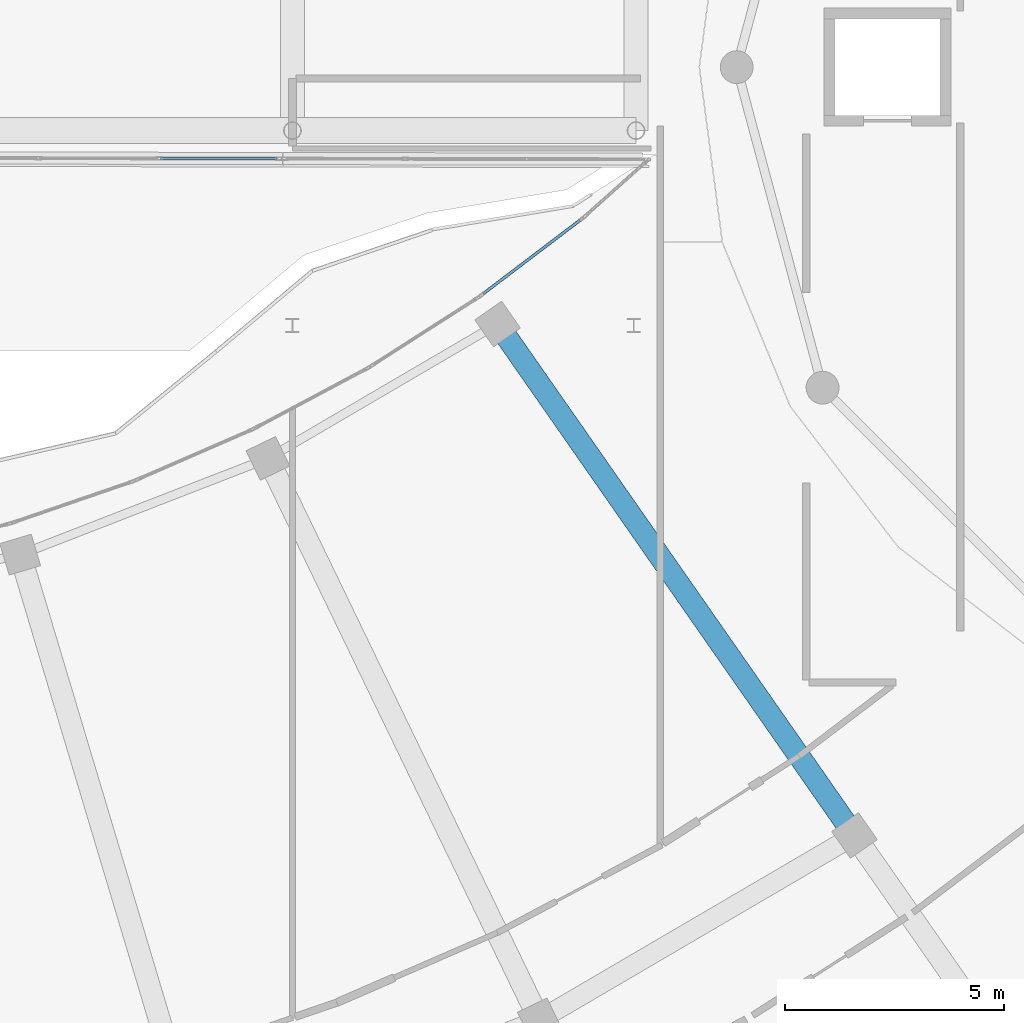
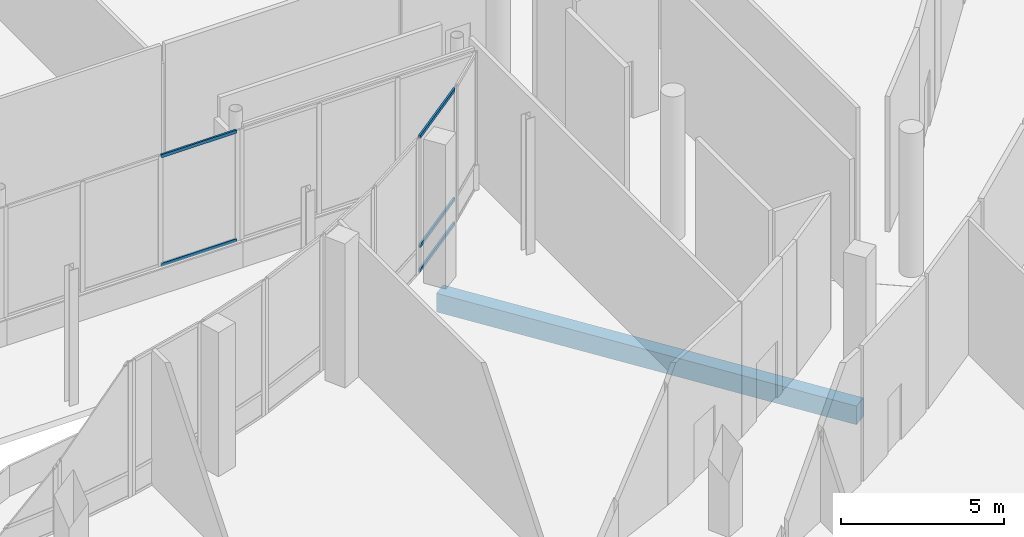
# One storey, part 53 of 158: 5 members, 1 beam, 2 elements without a shape of their own.
"""IFC4 building model written with IfcOpenShell, lengths in metres."""

import ifcopenshell
import ifcopenshell.guid

model = None  # the IFC model being written
_history = None  # IfcOwnerHistory: only IFC2X3 demands one
_inside = {}  # id of a spatial element -> (the spatial element, [elements in it])
_under = {}  # id of a project, library or spatial element -> (it, [spatial elements below it])
_declared = {}  # id of a project -> (the project, [libraries it declares])
_typed = {}  # id of a type object -> (the type object, [elements of that type])
_made_of = {}  # id of a material, layer set ... -> (it, [elements and type objects made of it])


def new_model(schema):
    """Start an empty IFC model of exactly this schema.

    Asked for "IFC4X3", IfcOpenShell would pick the latest addendum, in which some entities
    have other attributes; the version numbers below select the first issue.
    IFC2X3 requires an IfcOwnerHistory on every rooted entity: one is made here for all.
    """
    global model, _history
    if schema == "IFC4X3":
        model = ifcopenshell.file(schema_version=(4, 3, 0, 0))
    else:
        model = ifcopenshell.file(schema=schema)
    _inside.clear()
    _under.clear()
    _declared.clear()
    _typed.clear()
    _made_of.clear()
    _history = None
    if model.schema == "IFC2X3":
        org = make("IfcOrganization", Name="unknown")
        user = make(
            "IfcPersonAndOrganization",
            ThePerson=make("IfcPerson", FamilyName="unknown"),
            TheOrganization=org,
        )
        app = make(
            "IfcApplication",
            ApplicationDeveloper=org,
            Version="unknown",
            ApplicationFullName="unknown",
            ApplicationIdentifier="unknown",
        )
        _history = make(
            "IfcOwnerHistory",
            OwningUser=user,
            OwningApplication=app,
            ChangeAction="ADDED",
            CreationDate=0,
        )
    return model


def make(cls, **values):
    """One entity of the class cls with the attributes given. An attribute that is None is left unset."""
    return model.create_entity(
        cls, **{name: value for name, value in values.items() if value is not None}
    )


def rooted(cls, **values):
    """An entity with a GlobalId (a new one), such as an element, a storey or a relation."""
    return make(cls, GlobalId=ifcopenshell.guid.new(), OwnerHistory=_history, **values)


def si_unit(unit_type, name, prefix=None):
    """IfcSIUnit, for example si_unit("LENGTHUNIT", "METRE", prefix="MILLI")."""
    return make("IfcSIUnit", UnitType=unit_type, Prefix=prefix, Name=name)


def assignment(units):
    """IfcUnitAssignment: the units of a project."""
    return None if units is None else make("IfcUnitAssignment", Units=units)


def point(xyz):
    """IfcCartesianPoint."""
    return None if xyz is None else make("IfcCartesianPoint", Coordinates=xyz)


def direction(xyz):
    """IfcDirection."""
    return None if xyz is None else make("IfcDirection", DirectionRatios=xyz)


def frame(location, z_axis=None, x_axis=None):
    """IfcAxis2Placement3D, a coordinate frame: its origin and axes. An axis left out is left unset."""
    return make(
        "IfcAxis2Placement3D",
        Location=point(location),
        Axis=direction(z_axis),
        RefDirection=direction(x_axis),
    )


def frame_2d(location, x_axis=None):
    """IfcAxis2Placement2D, a coordinate frame in the plane: its origin and x axis."""
    return make(
        "IfcAxis2Placement2D", Location=point(location), RefDirection=direction(x_axis)
    )


def origin():
    """The frame at (0, 0, 0) with its axes left unset."""
    return frame((0.0, 0.0, 0.0))


def origin_2d():
    """The frame at (0, 0) in the plane with its x axis left unset."""
    return frame_2d((0.0, 0.0))


def place(relative_to, where):
    """IfcLocalPlacement: puts the frame where relative to a parent placement (None: the world)."""
    return make(
        "IfcLocalPlacement", PlacementRelTo=relative_to, RelativePlacement=where
    )


def context(
    kind, dimensions, precision=None, world=None, true_north=None, identifier=None
):
    """IfcGeometricRepresentationContext, for example the 3D "Model" context."""
    return make(
        "IfcGeometricRepresentationContext",
        ContextIdentifier=identifier,
        ContextType=kind,
        CoordinateSpaceDimension=dimensions,
        Precision=precision,
        WorldCoordinateSystem=world,
        TrueNorth=true_north,
    )


def subcontext(parent, identifier, kind, view, scale=None):
    """IfcGeometricRepresentationSubContext, for example "Body" below "Model"."""
    return make(
        "IfcGeometricRepresentationSubContext",
        ContextIdentifier=identifier,
        ContextType=kind,
        ParentContext=parent,
        TargetScale=scale,
        TargetView=view,
    )


def project(units=None, contexts=None):
    """IfcProject with its units and contexts."""
    return rooted(
        "IfcProject",
        Name="project",
        RepresentationContexts=contexts,
        UnitsInContext=assignment(units),
    )


def spatial(cls, under=None, at=None, **own):
    """A site, building, storey or space (cls), placed at a placement, below another one or the project."""
    s = rooted(cls, ObjectPlacement=at, **own)
    if under is not None:
        _under.setdefault(under.id(), (under, []))[1].append(s)
    return s


def profile(cls, at=None, kind="AREA", **sizes):
    """A parametric profile (cls). Its sizes go by their IFC names, for example OverallWidth=200.0."""
    return make(cls, ProfileType=kind, Position=at, **sizes)


def rectangle(**sizes):
    """IfcRectangleProfileDef."""
    return profile("IfcRectangleProfileDef", **sizes)


def hollow_rectangle(**sizes):
    """IfcRectangleHollowProfileDef."""
    return profile("IfcRectangleHollowProfileDef", **sizes)


def extrude(swept, where, along, depth):
    """IfcExtrudedAreaSolid: the profile swept, set in the frame where, extruded along a direction by depth."""
    return make(
        "IfcExtrudedAreaSolid",
        SweptArea=swept,
        Position=where,
        ExtrudedDirection=direction(along),
        Depth=depth,
    )


def shape(context_of_items, identifier, shape_type, items):
    """IfcShapeRepresentation: the items that make up one representation, for example the "Body"."""
    return make(
        "IfcShapeRepresentation",
        ContextOfItems=context_of_items,
        RepresentationIdentifier=identifier,
        RepresentationType=shape_type,
        Items=items,
    )


def material(Name=None, Category=None):
    """IfcMaterial."""
    return make("IfcMaterial", Name=Name, Category=Category)


def material_profile(
    of_material, cross_section, Name=None, Category=None, Priority=None
):
    """IfcMaterialProfile: a cross section and its material."""
    return make(
        "IfcMaterialProfile",
        Name=Name,
        Material=of_material,
        Profile=cross_section,
        Priority=Priority,
        Category=Category,
    )


def profile_set(profiles, Name=None, composite=None):
    """IfcMaterialProfileSet."""
    return make(
        "IfcMaterialProfileSet",
        Name=Name,
        MaterialProfiles=profiles,
        CompositeProfile=composite,
    )


def made_of(thing, what):
    """Note that an element or type object is made of a material, layer set ...; save() writes the relation."""
    if what is not None:
        _made_of.setdefault(what.id(), (what, []))[1].append(thing)
    return thing


def type_object(cls, material=None, **own):
    """A type object (cls), such as IfcWallType, which elements share."""
    return made_of(rooted(cls, **own), material)


def element(
    cls,
    number,
    at=None,
    inside=None,
    cuts=None,
    type_object=None,
    material=None,
    context=None,
    identifier="Body",
    shape_type=None,
    held_by="IfcProductDefinitionShape",
    body=None,
    shapes=None,
    **own,
):
    """One element of the class cls, such as IfcWall. Its Tag is "e" and its number.

    at: its placement. inside: the storey or other place that contains it. cuts: it is an
    opening in that element (IfcRelVoidsElement). A single representation is given by context,
    identifier, shape_type and body (its items); several are given by shapes. held_by: the class
    of the entity that holds the representations. save() writes the other relations.
    """
    e = rooted(cls, Tag="e%d" % number, ObjectPlacement=at, **own)
    if body is not None:
        shapes = [shape(context, identifier, shape_type, body)]
    if shapes is not None:
        e.Representation = make(held_by, Representations=shapes)
    if inside is not None:
        _inside.setdefault(inside.id(), (inside, []))[1].append(e)
    if cuts is not None:
        rooted(
            "IfcRelVoidsElement", RelatingBuildingElement=cuts, RelatedOpeningElement=e
        )
    if type_object is not None:
        _typed.setdefault(type_object.id(), (type_object, []))[1].append(e)
    return made_of(e, material)


def aggregate(whole, parts):
    """IfcRelAggregates: a whole, such as a stair, and the parts it consists of."""
    return rooted("IfcRelAggregates", RelatingObject=whole, RelatedObjects=parts)


def save(model, path):
    """Write the relations noted so far, then the file.

    IfcRelAggregates (storeys below a building ...), IfcRelContainedInSpatialStructure (elements
    in a storey), IfcRelDefinesByType, IfcRelAssociatesMaterial and IfcRelDeclares: one each for
    every whole, place, type object, material and project.
    """
    for whole, parts in _under.values():
        aggregate(whole, parts)
    for where, things in _inside.values():
        rooted(
            "IfcRelContainedInSpatialStructure",
            RelatedElements=things,
            RelatingStructure=where,
        )
    for kind, things in _typed.values():
        rooted("IfcRelDefinesByType", RelatedObjects=things, RelatingType=kind)
    for what, things in _made_of.values():
        rooted("IfcRelAssociatesMaterial", RelatedObjects=things, RelatingMaterial=what)
    for by, libraries in _declared.values():
        rooted("IfcRelDeclares", RelatingContext=by, RelatedDefinitions=libraries)
    model.write(path)


model = new_model("IFC4")

# Units and contexts
model_context = context("Model", 3, precision=1e-05, world=origin(), true_north=direction((0.0, 1.0)))
body_context = subcontext(model_context, "Body", "Model", "MODEL_VIEW")
ifc_project = project(units=[si_unit("LENGTHUNIT", "METRE"), si_unit("AREAUNIT", "SQUARE_METRE"), si_unit("VOLUMEUNIT", "CUBIC_METRE"), si_unit("PLANEANGLEUNIT", "RADIAN"), si_unit("MASSUNIT", "GRAM", prefix="KILO")], contexts=[model_context])

# Site, building, storey
site_placement = place(None, origin())
site = spatial("IfcSite", under=ifc_project, at=site_placement, CompositionType="ELEMENT")
building_placement = place(site_placement, origin())
building = spatial("IfcBuilding", under=site, at=building_placement, Name="Selatvlak General Hospital", CompositionType="ELEMENT")
storey_placement = place(building_placement, origin())
storey = spatial("IfcBuildingStorey", under=building, at=storey_placement, Name="L00", CompositionType="ELEMENT", Elevation=0.0)

# Beam
ifc_material_1 = material(Name="Concrete C40/50", Category="concrete")
ifc_material_profile_1 = material_profile(ifc_material_1, rectangle(XDim=0.5, YDim=0.699951171875, at=origin_2d()), Name="RC-BM 500x700")
ifc_profile_set_1 = profile_set([ifc_material_profile_1], Name="Concrete C40/50")
beam_type = type_object("IfcBeamType", Name="BM-G03", PredefinedType="BEAM", material=ifc_profile_set_1)
beam_placement = place(storey_placement, frame((77.886962890625, 48.131103515625, -0.699951171875), z_axis=(0.572196870903, -0.820116297198, 0.0), x_axis=(0.820116297198, 0.572196870903, 0.0)))
element("IfcBeam", 1, at=beam_placement, inside=storey, type_object=beam_type, Name="Beam BMR-L00-0349", PredefinedType="BEAM", context=body_context, shape_type="SweptSolid", body=[
    extrude(rectangle(XDim=0.5, YDim=0.699951171875, at=origin_2d()), origin(), (0.0, 0.0, 1.0), 14.25048828125),
])

# Curtain wall, members
ifc_material_2 = material(Name="Solar-control Low-E double glazing", Category="glass")
curtain_wall_type = type_object("IfcCurtainWallType", Name="CW-CW-01", PredefinedType="USERDEFINED", material=ifc_material_2)
curtain_wall_1_placement = place(storey_placement, origin())
curtain_wall_1 = element("IfcCurtainWall", 2, at=curtain_wall_1_placement, inside=storey, type_object=curtain_wall_type, Name="Glazed facade curtain wall CW-L00-0085", ObjectType="UNITISED CURTAIN WALL", PredefinedType="USERDEFINED")
ifc_material_3 = material(Name="Dark anodised aluminium mullion", Category="aluminium")
ifc_material_profile_2 = material_profile(ifc_material_3, hollow_rectangle(XDim=0.06494140625, YDim=0.1201171875, WallThickness=0.00390625, at=origin_2d()), Name="AL-TRN 65x120x4")
ifc_profile_set_2 = profile_set([ifc_material_profile_2], Name="Dark anodised aluminium mullion")
member_type = type_object("IfcMemberType", Name="CWT-01", PredefinedType="USERDEFINED", material=ifc_profile_set_2)
member_1_placement = place(storey_placement, frame((77.559814453125, 48.8232421875, 0.032470703125), z_axis=(0.796549288626, 0.604573594189, 0.0), x_axis=(-0.604573594189, 0.796549288626, 0.0)))
member_1 = element("IfcMember", 3, at=member_1_placement, type_object=member_type, Name="CW-01 transom 1.1", ObjectType="TRANSOM", PredefinedType="USERDEFINED", context=body_context, shape_type="SweptSolid", body=[
    extrude(hollow_rectangle(XDim=0.06494140625, YDim=0.1201171875, WallThickness=0.00390625, at=origin_2d()), origin(), (0.0, 0.0, 1.0), 2.769775390625),
])
member_2_placement = place(storey_placement, frame((77.559814453125, 48.8232421875, 0.949951171875), z_axis=(0.796549288626, 0.604573594189, 0.0), x_axis=(-0.604573594189, 0.796549288626, 0.0)))
member_2 = element("IfcMember", 4, at=member_2_placement, type_object=member_type, Name="CW-01 transom 1.2", ObjectType="TRANSOM", PredefinedType="USERDEFINED", context=body_context, shape_type="SweptSolid", body=[
    extrude(hollow_rectangle(XDim=0.06494140625, YDim=0.1201171875, WallThickness=0.00390625, at=origin_2d()), origin(), (0.0, 0.0, 1.0), 2.769775390625),
])
member_3_placement = place(storey_placement, frame((77.559814453125, 48.8232421875, 5.047607421875), z_axis=(0.796549288626, 0.604573594189, 0.0), x_axis=(-0.604573594189, 0.796549288626, 0.0)))
member_3 = element("IfcMember", 5, at=member_3_placement, type_object=member_type, Name="CW-01 transom 1.3", ObjectType="TRANSOM", PredefinedType="USERDEFINED", context=body_context, shape_type="SweptSolid", body=[
    extrude(hollow_rectangle(XDim=0.06494140625, YDim=0.1201171875, WallThickness=0.00390625, at=origin_2d()), origin(), (0.0, 0.0, 1.0), 2.769775390625),
])
aggregate(curtain_wall_1, [member_1, member_2, member_3])

curtain_wall_2_placement = place(storey_placement, origin())
curtain_wall_2 = element("IfcCurtainWall", 6, at=curtain_wall_2_placement, inside=storey, type_object=curtain_wall_type, Name="Glazed facade curtain wall CW-L00-0088", ObjectType="UNITISED CURTAIN WALL", PredefinedType="USERDEFINED")
member_4_placement = place(storey_placement, frame((72.85009765625, 51.91015625, 0.972412109375), z_axis=(-0.999998319421, 0.00183334553, 0.0), x_axis=(-0.00183334553, -0.999998319421, 0.0)))
member_4 = element("IfcMember", 7, at=member_4_placement, type_object=member_type, Name="CW-01 transom 1.1", ObjectType="TRANSOM", PredefinedType="USERDEFINED", context=body_context, shape_type="SweptSolid", body=[
    extrude(hollow_rectangle(XDim=0.06494140625, YDim=0.1201171875, WallThickness=0.00390625, at=origin_2d()), origin(), (0.0, 0.0, 1.0), 2.663330078125),
])
member_5_placement = place(storey_placement, frame((72.85009765625, 51.91015625, 5.047607421875), z_axis=(-0.999998319421, 0.00183334553, 0.0), x_axis=(-0.00183334553, -0.999998319421, 0.0)))
member_5 = element("IfcMember", 8, at=member_5_placement, type_object=member_type, Name="CW-01 transom 1.2", ObjectType="TRANSOM", PredefinedType="USERDEFINED", context=body_context, shape_type="SweptSolid", body=[
    extrude(hollow_rectangle(XDim=0.06494140625, YDim=0.1201171875, WallThickness=0.00390625, at=origin_2d()), origin(), (0.0, 0.0, 1.0), 2.663330078125),
])
aggregate(curtain_wall_2, [member_4, member_5])

save(model, "model.ifc")
